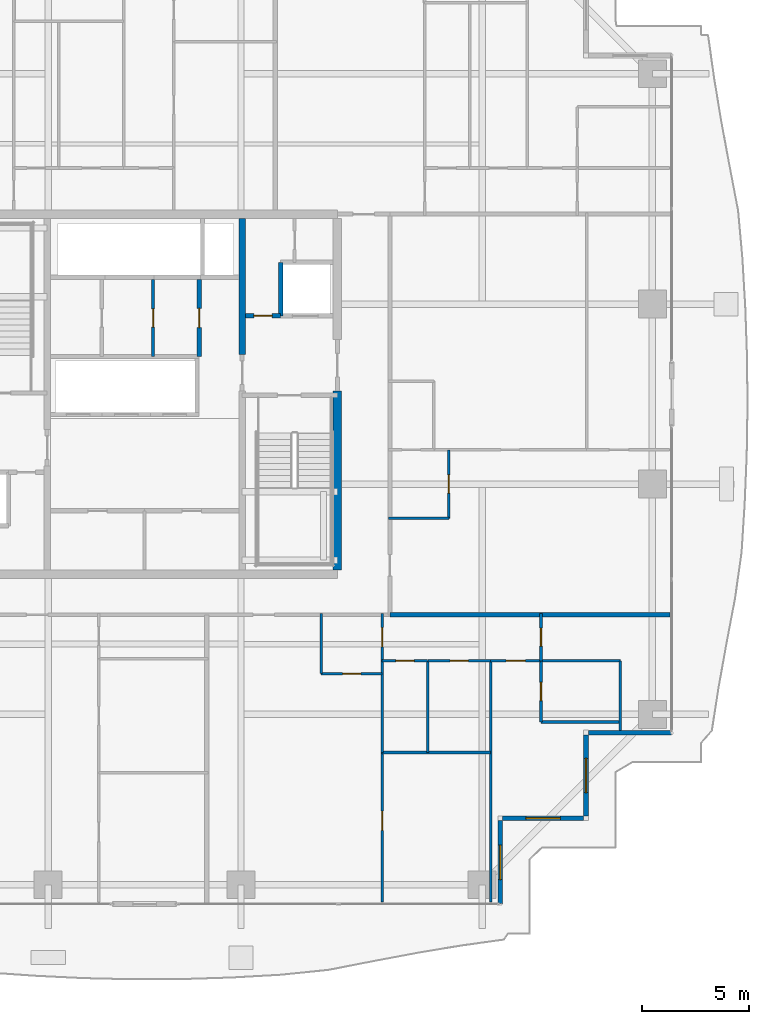
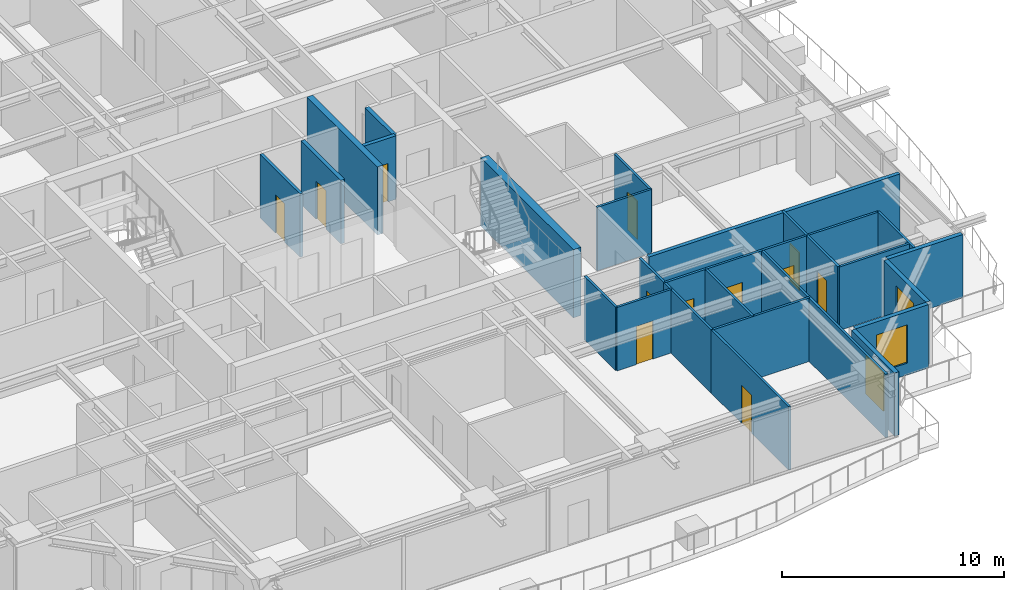
# One storey, part 29 of 38: 29 walls, 12 doors, 3 windows, 15 openings.
"""IFC4 building model written with IfcOpenShell, lengths in metres."""

from ifc_helpers import new_model, si_unit, direction, frame, frame_2d, origin, place, context, subcontext, project, spatial, rectangle, extrude, source, transform, mapped, material, layer, layer_set, type_object, element, fill, save


model = new_model("IFC4")

# Units and contexts
model_context = context("Model", 3, precision=1e-05, world=origin(), true_north=direction((0.0, 1.0)))
body_context = subcontext(model_context, "Body", "Model", "MODEL_VIEW")
ifc_project = project(units=[si_unit("LENGTHUNIT", "METRE"), si_unit("AREAUNIT", "SQUARE_METRE"), si_unit("VOLUMEUNIT", "CUBIC_METRE"), si_unit("PLANEANGLEUNIT", "RADIAN"), si_unit("MASSUNIT", "GRAM", prefix="KILO")], contexts=[model_context])

# Site, building, storey
site_placement = place(None, origin())
site = spatial("IfcSite", under=ifc_project, at=site_placement, CompositionType="ELEMENT")
building_placement = place(site_placement, origin())
building = spatial("IfcBuilding", under=site, at=building_placement, Name="Serunith Strait Residences", CompositionType="ELEMENT")
storey_placement = place(building_placement, frame((0.0, 0.0, 176.39990234375)))
storey = spatial("IfcBuildingStorey", under=building, at=storey_placement, Name="L44", CompositionType="ELEMENT", Elevation=176.39990234375)

# Wall, opening, window
ifc_material_1 = material(Name="Pale-Champagne Aluminium Insulated Panel", Category="aluminium")
ifc_layer_1 = layer(ifc_material_1, 0.219970703125, Name="Pale-Champagne Aluminium Insulated Panel")
ifc_layer_set_1 = layer_set([ifc_layer_1], Name="Pale-Champagne Aluminium Insulated Panel")
wall_type_1 = type_object("IfcWallType", Name="EW-ALUM-220", PredefinedType="ELEMENTEDWALL", material=ifc_layer_set_1)
wall_1_placement = place(storey_placement, frame((49.0, 1.39990234375, 0.0), z_axis=(0.0, 0.0, 1.0), x_axis=(0.0, 1.0, 0.0)))
wall_1 = element("IfcWall", 1, at=wall_1_placement, inside=storey, type_object=wall_type_1, Name="L44 Girih Serrated Corner Wall 02", PredefinedType="ELEMENTEDWALL", context=body_context, shape_type="SweptSolid", body=[
    extrude(rectangle(XDim=3.89013671875, YDim=0.219970703125, at=frame_2d((1.945068359375, 0.0))), origin(), (0.0, 0.0, 1.0), 3.47509765625),
])
opening_1_placement = place(wall_1_placement, frame((1.14501953125, 0.0, 0.64990234375)))
opening_1 = element("IfcOpeningElement", 2, at=opening_1_placement, cuts=wall_1, Name="Opening W-02", PredefinedType="OPENING", context=body_context, shape_type="SweptSolid", body=[
    extrude(rectangle(XDim=1.60009765625, YDim=2.10009765625, at=frame_2d((0.800048828125, 1.050048828125))), frame((0.0, 0.1201171875, 0.0), z_axis=(0.0, -1.0, 0.0), x_axis=(1.0, 0.0, 0.0)), (0.0, 0.0, 1.0), 0.239990234375),
])
ifc_material_2 = material(Name="Ceramic-Fritted Operable Aluminium Window Glass", Category="aluminium")
window_type = type_object("IfcWindowType", Name="WIN-C2", PartitioningType="DOUBLE_PANEL_VERTICAL", PredefinedType="WINDOW", material=ifc_material_2)
shared_shape_1 = source(origin(), body_context, "Body", "SweptSolid", [
    extrude(rectangle(XDim=1.60009765625, YDim=2.10009765625, at=frame_2d((0.800048828125, 1.050048828125))), frame((0.0, 0.030029296875, 0.0), z_axis=(0.0, -1.0, 0.0), x_axis=(1.0, 0.0, 0.0)), (0.0, 0.0, 1.0), 0.06005859375),
])
window_1_placement = place(opening_1_placement, origin())
window_1 = element("IfcWindow", 3, at=window_1_placement, inside=storey, type_object=window_type, Name="L44 Corner Operable Fritted Window 02", OverallHeight=2.10009765625, OverallWidth=1.60009765625, PartitioningType="SINGLE_PANEL", PredefinedType="WINDOW", context=body_context, shape_type="MappedRepresentation", body=[
    mapped(shared_shape_1, transform((0.0, 0.0, 0.0), scale=1.0)),
])
fill(opening_1, window_1)

wall_2_placement = place(storey_placement, frame((49.110107421875, 5.39990234375, 0.0), z_axis=(0.0, 0.0, 1.0), x_axis=(1.0, 0.0, 0.0)))
wall_2 = element("IfcWall", 4, at=wall_2_placement, inside=storey, type_object=wall_type_1, Name="L44 Girih Serrated Corner Wall 03", PredefinedType="ELEMENTEDWALL", context=body_context, shape_type="SweptSolid", body=[
    extrude(rectangle(XDim=3.77978515625, YDim=0.219970703125, at=frame_2d((1.889892578125, 0.0))), origin(), (0.0, 0.0, 1.0), 3.47509765625),
])
opening_2_placement = place(wall_2_placement, frame((1.090087890625, 0.0, 0.64990234375)))
opening_2 = element("IfcOpeningElement", 5, at=opening_2_placement, cuts=wall_2, Name="Opening W-02", PredefinedType="OPENING", context=body_context, shape_type="SweptSolid", body=[
    extrude(rectangle(XDim=1.60009765625, YDim=2.10009765625, at=frame_2d((0.800048828125, 1.050048828125))), frame((0.0, 0.1201171875, 0.0), z_axis=(0.0, -1.0, 0.0), x_axis=(1.0, 0.0, 0.0)), (0.0, 0.0, 1.0), 0.239990234375),
])
window_2_placement = place(opening_2_placement, origin())
window_2 = element("IfcWindow", 6, at=window_2_placement, inside=storey, type_object=window_type, Name="L44 Corner Operable Fritted Window 03", OverallHeight=2.10009765625, OverallWidth=1.60009765625, PartitioningType="SINGLE_PANEL", PredefinedType="WINDOW", context=body_context, shape_type="MappedRepresentation", body=[
    mapped(shared_shape_1, transform((0.0, 0.0, 0.0), scale=1.0)),
])
fill(opening_2, window_2)

wall_3_placement = place(storey_placement, frame((53.0, 5.510009765625, 0.0), z_axis=(0.0, 0.0, 1.0), x_axis=(0.0, 1.0, 0.0)))
wall_3 = element("IfcWall", 7, at=wall_3_placement, inside=storey, type_object=wall_type_1, Name="L44 Girih Serrated Corner Wall 04", PredefinedType="ELEMENTEDWALL", context=body_context, shape_type="SweptSolid", body=[
    extrude(rectangle(XDim=3.780029296875, YDim=0.219970703125, at=frame_2d((1.89013671875, 0.0))), origin(), (0.0, 0.0, 1.0), 3.47509765625),
])
opening_3_placement = place(wall_3_placement, frame((1.090087890625, 0.0, 0.64990234375)))
opening_3 = element("IfcOpeningElement", 8, at=opening_3_placement, cuts=wall_3, Name="Opening W-02", PredefinedType="OPENING", context=body_context, shape_type="SweptSolid", body=[
    extrude(rectangle(XDim=1.60009765625, YDim=2.10009765625, at=frame_2d((0.800048828125, 1.050048828125))), frame((0.0, 0.1201171875, 0.0), z_axis=(0.0, -1.0, 0.0), x_axis=(1.0, 0.0, 0.0)), (0.0, 0.0, 1.0), 0.239990234375),
])
window_3_placement = place(opening_3_placement, origin())
window_3 = element("IfcWindow", 9, at=window_3_placement, inside=storey, type_object=window_type, Name="L44 Corner Operable Fritted Window 04", OverallHeight=2.10009765625, OverallWidth=1.60009765625, PartitioningType="SINGLE_PANEL", PredefinedType="WINDOW", context=body_context, shape_type="MappedRepresentation", body=[
    mapped(shared_shape_1, transform((0.0, 0.0, 0.0), scale=1.0)),
])
fill(opening_3, window_3)

# Wall
wall_4_placement = place(storey_placement, frame((53.110107421875, 9.39990234375, 0.0), z_axis=(0.0, 0.0, 1.0), x_axis=(1.0, 0.0, 0.0)))
element("IfcWall", 10, at=wall_4_placement, inside=storey, type_object=wall_type_1, Name="L44 Girih Serrated Corner Wall 05", PredefinedType="ELEMENTEDWALL", context=body_context, shape_type="SweptSolid", body=[
    extrude(rectangle(XDim=3.889892578125, YDim=0.219970703125, at=frame_2d((1.94482421875, 0.0))), origin(), (0.0, 0.0, 1.0), 3.47509765625),
])

# Wall, opening, door
ifc_material_3 = material(Name="Fire-rated masonry service closet wall", Category="masonry")
ifc_layer_2 = layer(ifc_material_3, 0.14990234375, Name="Fire-rated masonry service closet wall")
ifc_layer_set_2 = layer_set([ifc_layer_2], Name="Fire-rated masonry service closet wall")
wall_type_2 = type_object("IfcWallType", Name="IW-BOH-150", PredefinedType="PARTITIONING", material=ifc_layer_set_2)
wall_5_placement = place(storey_placement, frame((32.800048828125, 26.949951171875, 0.0), z_axis=(0.0, 0.0, 1.0), x_axis=(0.0, 1.0, 0.0)))
wall_5 = element("IfcWall", 11, at=wall_5_placement, inside=storey, type_object=wall_type_2, Name="L44 Partition Wall 015", PredefinedType="PARTITIONING", context=body_context, shape_type="SweptSolid", body=[
    extrude(rectangle(XDim=3.60009765625, YDim=0.14990234375, at=frame_2d((1.800048828125, 0.0))), origin(), (0.0, 0.0, 1.0), 3.489990234375),
])
opening_4_placement = place(wall_5_placement, frame((1.375, 0.0, 0.0)))
opening_4 = element("IfcOpeningElement", 12, at=opening_4_placement, cuts=wall_5, Name="Opening FD-850", PredefinedType="OPENING", context=body_context, shape_type="SweptSolid", body=[
    extrude(rectangle(XDim=0.85009765625, YDim=2.10009765625, at=frame_2d((0.425048828125, 1.050048828125))), frame((0.0, 0.0849609375, 0.0), z_axis=(0.0, -1.0, 0.0), x_axis=(1.0, 0.0, 0.0)), (0.0, 0.0, 1.0), 0.169921875),
])
ifc_material_4 = material(Name="Powder-coated steel service closet door", Category="steel")
door_type_1 = type_object("IfcDoorType", Name="FD-BOH-850", OperationType="NOTDEFINED", PredefinedType="DOOR", material=ifc_material_4)
shared_shape_2 = source(origin(), body_context, "Body", "SweptSolid", [
    extrude(rectangle(XDim=0.85009765625, YDim=2.10009765625, at=frame_2d((0.425048828125, 1.050048828125))), frame((0.0, 0.02490234375, 0.0), z_axis=(0.0, -1.0, 0.0), x_axis=(1.0, 0.0, 0.0)), (0.0, 0.0, 1.0), 0.050048828125),
])
door_1_placement = place(opening_4_placement, origin())
door_1 = element("IfcDoor", 13, at=door_1_placement, inside=storey, type_object=door_type_1, Name="L44 Linen Store Door", OperationType="SINGLE_SWING_LEFT", OverallHeight=2.10009765625, OverallWidth=0.85009765625, PredefinedType="DOOR", context=body_context, shape_type="MappedRepresentation", body=[
    mapped(shared_shape_2, transform((0.0, 0.0, 0.0), scale=1.0)),
])
fill(opening_4, door_1)

ifc_material_5 = material(Name="Lightweight steel-stud gypsum partition", Category="steel")
ifc_layer_3 = layer(ifc_material_5, 0.1201171875, Name="Lightweight steel-stud gypsum partition")
ifc_layer_set_3 = layer_set([ifc_layer_3], Name="Lightweight steel-stud gypsum partition")
wall_type_3 = type_object("IfcWallType", Name="IW-PART-120", PredefinedType="PARTITIONING", material=ifc_layer_set_3)
wall_6_placement = place(storey_placement, frame((40.639892578125, 12.14990234375, 0.0), z_axis=(0.0, 0.0, 1.0), x_axis=(1.0, 0.0, 0.0)))
wall_6 = element("IfcWall", 14, at=wall_6_placement, inside=storey, type_object=wall_type_3, Name="L44 Partition Wall 053", PredefinedType="PARTITIONING", context=body_context, shape_type="SweptSolid", body=[
    extrude(rectangle(XDim=2.85009765625, YDim=0.1201171875, at=frame_2d((1.425048828125, 0.0))), origin(), (0.0, 0.0, 1.0), 3.489990234375),
])
opening_5_placement = place(wall_6_placement, frame((1.0, 0.0, 0.0)))
opening_5 = element("IfcOpeningElement", 15, at=opening_5_placement, cuts=wall_6, Name="Opening D-RM850", PredefinedType="OPENING", context=body_context, shape_type="SweptSolid", body=[
    extrude(rectangle(XDim=0.85009765625, YDim=2.10009765625, at=frame_2d((0.425048828125, 1.050048828125))), frame((0.0, 0.070068359375, 0.0), z_axis=(0.0, -1.0, 0.0), x_axis=(1.0, 0.0, 0.0)), (0.0, 0.0, 1.0), 0.14013671875),
])
ifc_material_6 = material(Name="Engineered timber flush study and kitchen door", Category="wood")
door_type_2 = type_object("IfcDoorType", Name="ID-ROOM-850", OperationType="NOTDEFINED", PredefinedType="DOOR", material=ifc_material_6)
door_2_placement = place(opening_5_placement, origin())
door_2 = element("IfcDoor", 16, at=door_2_placement, inside=storey, type_object=door_type_2, Name="L44 Kitchen 4402 Door", OperationType="SINGLE_SWING_LEFT", OverallHeight=2.10009765625, OverallWidth=0.85009765625, PredefinedType="DOOR", context=body_context, shape_type="MappedRepresentation", body=[
    mapped(shared_shape_2, transform((0.0, 0.0, 0.0), scale=1.0)),
])
fill(opening_5, door_2)

# Wall
wall_7_placement = place(storey_placement, frame((40.639892578125, 12.14990234375, 0.0), z_axis=(0.0, 0.0, 1.0), x_axis=(0.0, 1.0, 0.0)))
element("IfcWall", 17, at=wall_7_placement, inside=storey, type_object=wall_type_3, Name="L44 Partition Wall 054", PredefinedType="PARTITIONING", context=body_context, shape_type="SweptSolid", body=[
    extrude(rectangle(XDim=2.81005859375, YDim=0.1201171875, at=frame_2d((1.405029296875, 0.0))), origin(), (0.0, 0.0, 1.0), 3.489990234375),
])

# Wall, opening, door
wall_8_placement = place(storey_placement, frame((43.489990234375, 12.75, 0.0), z_axis=(0.0, 0.0, 1.0), x_axis=(0.0, 1.0, 0.0)))
wall_8 = element("IfcWall", 18, at=wall_8_placement, inside=storey, type_object=wall_type_3, Name="L44 Partition Wall 055", PredefinedType="PARTITIONING", context=body_context, shape_type="SweptSolid", body=[
    extrude(rectangle(XDim=2.2099609375, YDim=0.1201171875, at=frame_2d((1.10498046875, 0.0))), origin(), (0.0, 0.0, 1.0), 3.489990234375),
])
opening_6_placement = place(wall_8_placement, frame((0.655029296875, 0.0, 0.0)))
opening_6 = element("IfcOpeningElement", 19, at=opening_6_placement, cuts=wall_8, Name="Opening D-RM900", PredefinedType="OPENING", context=body_context, shape_type="SweptSolid", body=[
    extrude(rectangle(XDim=0.89990234375, YDim=2.10009765625, at=frame_2d((0.449951171875, 1.050048828125))), frame((0.0, 0.070068359375, 0.0), z_axis=(0.0, -1.0, 0.0), x_axis=(1.0, 0.0, 0.0)), (0.0, 0.0, 1.0), 0.14013671875),
])
ifc_material_7 = material(Name="Engineered timber flush bedroom door", Category="wood")
door_type_3 = type_object("IfcDoorType", Name="ID-ROOM-900", OperationType="NOTDEFINED", PredefinedType="DOOR", material=ifc_material_7)
shared_shape_3 = source(origin(), body_context, "Body", "SweptSolid", [
    extrude(rectangle(XDim=0.89990234375, YDim=2.10009765625, at=frame_2d((0.449951171875, 1.050048828125))), frame((0.0, 0.02490234375, 0.0), z_axis=(0.0, -1.0, 0.0), x_axis=(1.0, 0.0, 0.0)), (0.0, 0.0, 1.0), 0.050048828125),
])
door_3_placement = place(opening_6_placement, origin())
door_3 = element("IfcDoor", 20, at=door_3_placement, inside=storey, type_object=door_type_3, Name="L44 Hall E 4402 Door", OperationType="SINGLE_SWING_RIGHT", OverallHeight=2.10009765625, OverallWidth=0.89990234375, PredefinedType="DOOR", context=body_context, shape_type="MappedRepresentation", body=[
    mapped(shared_shape_3, transform((0.0, 0.0, 0.0), scale=1.0)),
])
fill(opening_6, door_3)

wall_9_placement = place(storey_placement, frame((43.489990234375, 1.4951171875, 0.0), z_axis=(0.0, 0.0, 1.0), x_axis=(0.0, 1.0, 0.0)))
wall_9 = element("IfcWall", 21, at=wall_9_placement, inside=storey, type_object=wall_type_3, Name="L44 Partition Wall 056", PredefinedType="PARTITIONING", context=body_context, shape_type="SweptSolid", body=[
    extrude(rectangle(XDim=6.975830078125, YDim=0.1201171875, at=frame_2d((3.48779296875, 0.0))), origin(), (0.0, 0.0, 1.0), 3.489990234375),
])
opening_7_placement = place(wall_9_placement, frame((3.342041015625, 0.0, 0.0)))
opening_7 = element("IfcOpeningElement", 22, at=opening_7_placement, cuts=wall_9, Name="Opening D-RM900", PredefinedType="OPENING", context=body_context, shape_type="SweptSolid", body=[
    extrude(rectangle(XDim=0.89990234375, YDim=2.10009765625, at=frame_2d((0.449951171875, 1.050048828125))), frame((0.0, 0.070068359375, 0.0), z_axis=(0.0, -1.0, 0.0), x_axis=(1.0, 0.0, 0.0)), (0.0, 0.0, 1.0), 0.14013671875),
])
door_4_placement = place(opening_7_placement, origin())
door_4 = element("IfcDoor", 23, at=door_4_placement, inside=storey, type_object=door_type_3, Name="L44 Formal Dining Room 1 4402 Door", OperationType="SINGLE_SWING_LEFT", OverallHeight=2.10009765625, OverallWidth=0.89990234375, PredefinedType="DOOR", context=body_context, shape_type="MappedRepresentation", body=[
    mapped(shared_shape_3, transform((0.0, 0.0, 0.0), scale=1.0)),
])
fill(opening_7, door_4)

# Walls
wall_10_placement = place(storey_placement, frame((43.489990234375, 8.472900390625, 0.0), z_axis=(0.0, 0.0, 1.0), x_axis=(0.0, 1.0, 0.0)))
element("IfcWall", 24, at=wall_10_placement, inside=storey, type_object=wall_type_3, Name="L44 Partition Wall 057", PredefinedType="PARTITIONING", context=body_context, shape_type="SweptSolid", body=[
    extrude(rectangle(XDim=4.275146484375, YDim=0.1201171875, at=frame_2d((2.1376953125, 0.0))), origin(), (0.0, 0.0, 1.0), 3.489990234375),
])
wall_11_placement = place(storey_placement, frame((43.489990234375, 8.470947265625, 0.0), z_axis=(0.0, 0.0, 1.0), x_axis=(1.0, 0.0, 0.0)))
element("IfcWall", 25, at=wall_11_placement, inside=storey, type_object=wall_type_3, Name="L44 Partition Wall 058", PredefinedType="PARTITIONING", context=body_context, shape_type="SweptSolid", body=[
    extrude(rectangle(XDim=5.06005859375, YDim=0.1201171875, at=frame_2d((2.530029296875, 0.0))), origin(), (0.0, 0.0, 1.0), 3.489990234375),
])
wall_12_placement = place(storey_placement, frame((48.550048828125, 1.4951171875, 0.0), z_axis=(0.0, 0.0, 1.0), x_axis=(0.0, 1.0, 0.0)))
element("IfcWall", 26, at=wall_12_placement, inside=storey, type_object=wall_type_3, Name="L44 Partition Wall 059", PredefinedType="PARTITIONING", context=body_context, shape_type="SweptSolid", body=[
    extrude(rectangle(XDim=11.2548828125, YDim=0.1201171875, at=frame_2d((5.62744140625, 0.0))), origin(), (0.0, 0.0, 1.0), 3.489990234375),
])
wall_13_placement = place(storey_placement, frame((45.614990234375, 8.470947265625, 0.0), z_axis=(0.0, 0.0, 1.0), x_axis=(0.0, 1.0, 0.0)))
element("IfcWall", 27, at=wall_13_placement, inside=storey, type_object=wall_type_3, Name="L44 Partition Wall 060", PredefinedType="PARTITIONING", context=body_context, shape_type="SweptSolid", body=[
    extrude(rectangle(XDim=4.279052734375, YDim=0.1201171875, at=frame_2d((2.1396484375, 0.0))), origin(), (0.0, 0.0, 1.0), 3.489990234375),
])

# Wall, opening, door
wall_14_placement = place(storey_placement, frame((43.489990234375, 12.75, 0.0), z_axis=(0.0, 0.0, 1.0), x_axis=(1.0, 0.0, 0.0)))
wall_14 = element("IfcWall", 28, at=wall_14_placement, inside=storey, type_object=wall_type_3, Name="L44 Partition Wall 061", PredefinedType="PARTITIONING", context=body_context, shape_type="SweptSolid", body=[
    extrude(rectangle(XDim=2.125, YDim=0.1201171875, at=frame_2d((1.0625, 0.0))), origin(), (0.0, 0.0, 1.0), 3.489990234375),
])
opening_8_placement = place(wall_14_placement, frame((0.636962890625, 0.0, 0.0)))
opening_8 = element("IfcOpeningElement", 29, at=opening_8_placement, cuts=wall_14, Name="Opening D-BTH850", PredefinedType="OPENING", context=body_context, shape_type="SweptSolid", body=[
    extrude(rectangle(XDim=0.85009765625, YDim=2.10009765625, at=frame_2d((0.425048828125, 1.050048828125))), frame((0.0, 0.070068359375, 0.0), z_axis=(0.0, -1.0, 0.0), x_axis=(1.0, 0.0, 0.0)), (0.0, 0.0, 1.0), 0.14013671875),
])
ifc_material_8 = material(Name="Moisture-resistant timber bathroom door", Category="wood")
door_type_4 = type_object("IfcDoorType", Name="ID-BATH-850", OperationType="NOTDEFINED", PredefinedType="DOOR", material=ifc_material_8)
door_5_placement = place(opening_8_placement, origin())
door_5 = element("IfcDoor", 30, at=door_5_placement, inside=storey, type_object=door_type_4, Name="L44 Bathroom 4402 Door", OperationType="SINGLE_SWING_RIGHT", OverallHeight=2.10009765625, OverallWidth=0.85009765625, PredefinedType="DOOR", context=body_context, shape_type="MappedRepresentation", body=[
    mapped(shared_shape_2, transform((0.0, 0.0, 0.0), scale=1.0)),
])
fill(opening_8, door_5)

wall_15_placement = place(storey_placement, frame((45.616943359375, 12.75, 0.0), z_axis=(0.0, 0.0, 1.0), x_axis=(1.0, 0.0, 0.0)))
wall_15 = element("IfcWall", 31, at=wall_15_placement, inside=storey, type_object=wall_type_3, Name="L44 Partition Wall 062", PredefinedType="PARTITIONING", context=body_context, shape_type="SweptSolid", body=[
    extrude(rectangle(XDim=2.93310546875, YDim=0.1201171875, at=frame_2d((1.466552734375, 0.0))), origin(), (0.0, 0.0, 1.0), 3.489990234375),
])
opening_9_placement = place(wall_15_placement, frame((1.041015625, 0.0, 0.0)))
opening_9 = element("IfcOpeningElement", 32, at=opening_9_placement, cuts=wall_15, Name="Opening D-RM850", PredefinedType="OPENING", context=body_context, shape_type="SweptSolid", body=[
    extrude(rectangle(XDim=0.85009765625, YDim=2.10009765625, at=frame_2d((0.425048828125, 1.050048828125))), frame((0.0, 0.070068359375, 0.0), z_axis=(0.0, -1.0, 0.0), x_axis=(1.0, 0.0, 0.0)), (0.0, 0.0, 1.0), 0.14013671875),
])
door_6_placement = place(opening_9_placement, origin())
door_6 = element("IfcDoor", 33, at=door_6_placement, inside=storey, type_object=door_type_2, Name="L44 Formal Dining Room 4402 Door", OperationType="SINGLE_SWING_LEFT", OverallHeight=2.10009765625, OverallWidth=0.85009765625, PredefinedType="DOOR", context=body_context, shape_type="MappedRepresentation", body=[
    mapped(shared_shape_2, transform((0.0, 0.0, 0.0), scale=1.0)),
])
fill(opening_9, door_6)

wall_16_placement = place(storey_placement, frame((48.552001953125, 12.75, 0.0), z_axis=(0.0, 0.0, 1.0), x_axis=(1.0, 0.0, 0.0)))
wall_16 = element("IfcWall", 34, at=wall_16_placement, inside=storey, type_object=wall_type_3, Name="L44 Partition Wall 063", PredefinedType="PARTITIONING", context=body_context, shape_type="SweptSolid", body=[
    extrude(rectangle(XDim=2.347900390625, YDim=0.1201171875, at=frame_2d((1.173828125, 0.0))), origin(), (0.0, 0.0, 1.0), 3.489990234375),
])
opening_10_placement = place(wall_16_placement, frame((0.72412109375, 0.0, 0.0)))
opening_10 = element("IfcOpeningElement", 35, at=opening_10_placement, cuts=wall_16, Name="Opening D-RM900", PredefinedType="OPENING", context=body_context, shape_type="SweptSolid", body=[
    extrude(rectangle(XDim=0.89990234375, YDim=2.10009765625, at=frame_2d((0.449951171875, 1.050048828125))), frame((0.0, 0.070068359375, 0.0), z_axis=(0.0, -1.0, 0.0), x_axis=(1.0, 0.0, 0.0)), (0.0, 0.0, 1.0), 0.14013671875),
])
door_7_placement = place(opening_10_placement, origin())
door_7 = element("IfcDoor", 36, at=door_7_placement, inside=storey, type_object=door_type_3, Name="L44 Master Bedroom E 4402 Door", OperationType="SINGLE_SWING_RIGHT", OverallHeight=2.10009765625, OverallWidth=0.89990234375, PredefinedType="DOOR", context=body_context, shape_type="MappedRepresentation", body=[
    mapped(shared_shape_3, transform((0.0, 0.0, 0.0), scale=1.0)),
])
fill(opening_10, door_7)

# Walls
wall_17_placement = place(storey_placement, frame((50.89990234375, 9.89501953125, 0.0), z_axis=(0.0, 0.0, 1.0), x_axis=(1.0, 0.0, 0.0)))
element("IfcWall", 37, at=wall_17_placement, inside=storey, type_object=wall_type_3, Name="L44 Partition Wall 064", PredefinedType="PARTITIONING", context=body_context, shape_type="SweptSolid", body=[
    extrude(rectangle(XDim=3.7001953125, YDim=0.1201171875, at=frame_2d((1.85009765625, 0.0))), origin(), (0.0, 0.0, 1.0), 3.489990234375),
])
wall_18_placement = place(storey_placement, frame((54.60009765625, 9.4951171875, 0.0), z_axis=(0.0, 0.0, 1.0), x_axis=(0.0, 1.0, 0.0)))
element("IfcWall", 38, at=wall_18_placement, inside=storey, type_object=wall_type_3, Name="L44 Partition Wall 065", PredefinedType="PARTITIONING", context=body_context, shape_type="SweptSolid", body=[
    extrude(rectangle(XDim=3.2548828125, YDim=0.1201171875, at=frame_2d((1.62744140625, 0.0))), origin(), (0.0, 0.0, 1.0), 3.489990234375),
])
wall_19_placement = place(storey_placement, frame((50.902099609375, 12.75, 0.0), z_axis=(0.0, 0.0, 1.0), x_axis=(1.0, 0.0, 0.0)))
element("IfcWall", 39, at=wall_19_placement, inside=storey, type_object=wall_type_3, Name="L44 Partition Wall 066", PredefinedType="PARTITIONING", context=body_context, shape_type="SweptSolid", body=[
    extrude(rectangle(XDim=3.697998046875, YDim=0.1201171875, at=frame_2d((1.84912109375, 0.0))), origin(), (0.0, 0.0, 1.0), 3.489990234375),
])

# Wall, opening, door
wall_20_placement = place(storey_placement, frame((50.89990234375, 9.89501953125, 0.0), z_axis=(0.0, 0.0, 1.0), x_axis=(0.0, 1.0, 0.0)))
wall_20 = element("IfcWall", 40, at=wall_20_placement, inside=storey, type_object=wall_type_3, Name="L44 Partition Wall 067", PredefinedType="PARTITIONING", context=body_context, shape_type="SweptSolid", body=[
    extrude(rectangle(XDim=2.85498046875, YDim=0.1201171875, at=frame_2d((1.427490234375, 0.0))), origin(), (0.0, 0.0, 1.0), 3.489990234375),
])
opening_11_placement = place(wall_20_placement, frame((1.0029296875, 0.0, 0.0)))
opening_11 = element("IfcOpeningElement", 41, at=opening_11_placement, cuts=wall_20, Name="Opening D-BTH850", PredefinedType="OPENING", context=body_context, shape_type="SweptSolid", body=[
    extrude(rectangle(XDim=0.85009765625, YDim=2.10009765625, at=frame_2d((0.425048828125, 1.050048828125))), frame((0.0, 0.070068359375, 0.0), z_axis=(0.0, -1.0, 0.0), x_axis=(1.0, 0.0, 0.0)), (0.0, 0.0, 1.0), 0.14013671875),
])
door_8_placement = place(opening_11_placement, origin())
door_8 = element("IfcDoor", 42, at=door_8_placement, inside=storey, type_object=door_type_4, Name="L44 En-suite Bathroom E 4402 Door", OperationType="SINGLE_SWING_LEFT", OverallHeight=2.10009765625, OverallWidth=0.85009765625, PredefinedType="DOOR", context=body_context, shape_type="MappedRepresentation", body=[
    mapped(shared_shape_2, transform((0.0, 0.0, 0.0), scale=1.0)),
])
fill(opening_11, door_8)

wall_21_placement = place(storey_placement, frame((50.89990234375, 12.751953125, 0.0), z_axis=(0.0, 0.0, 1.0), x_axis=(0.0, 1.0, 0.0)))
wall_21 = element("IfcWall", 43, at=wall_21_placement, inside=storey, type_object=wall_type_3, Name="L44 Partition Wall 068", PredefinedType="PARTITIONING", context=body_context, shape_type="SweptSolid", body=[
    extrude(rectangle(XDim=2.2080078125, YDim=0.1201171875, at=frame_2d((1.10400390625, 0.0))), origin(), (0.0, 0.0, 1.0), 3.489990234375),
])
opening_12_placement = place(wall_21_placement, frame((0.678955078125, 0.0, 0.0)))
opening_12 = element("IfcOpeningElement", 44, at=opening_12_placement, cuts=wall_21, Name="Opening D-RM850", PredefinedType="OPENING", context=body_context, shape_type="SweptSolid", body=[
    extrude(rectangle(XDim=0.85009765625, YDim=2.10009765625, at=frame_2d((0.425048828125, 1.050048828125))), frame((0.0, 0.070068359375, 0.0), z_axis=(0.0, -1.0, 0.0), x_axis=(1.0, 0.0, 0.0)), (0.0, 0.0, 1.0), 0.14013671875),
])
door_9_placement = place(opening_12_placement, origin())
door_9 = element("IfcDoor", 45, at=door_9_placement, inside=storey, type_object=door_type_2, Name="L44 Wardrobe E 4402 Door", OperationType="SINGLE_SWING_RIGHT", OverallHeight=2.10009765625, OverallWidth=0.85009765625, PredefinedType="DOOR", context=body_context, shape_type="MappedRepresentation", body=[
    mapped(shared_shape_2, transform((0.0, 0.0, 0.0), scale=1.0)),
])
fill(opening_12, door_9)

wall_22_placement = place(storey_placement, frame((46.60009765625, 19.39990234375, 0.0), z_axis=(0.0, 0.0, 1.0), x_axis=(0.0, 1.0, 0.0)))
wall_22 = element("IfcWall", 46, at=wall_22_placement, inside=storey, type_object=wall_type_3, Name="L44 Partition Wall 113", PredefinedType="PARTITIONING", context=body_context, shape_type="SweptSolid", body=[
    extrude(rectangle(XDim=3.2001953125, YDim=0.1201171875, at=frame_2d((1.60009765625, 0.0))), origin(), (0.0, 0.0, 1.0), 3.489990234375),
])
opening_13_placement = place(wall_22_placement, frame((1.175048828125, 0.0, 0.0)))
opening_13 = element("IfcOpeningElement", 47, at=opening_13_placement, cuts=wall_22, Name="Opening D-RM850", PredefinedType="OPENING", context=body_context, shape_type="SweptSolid", body=[
    extrude(rectangle(XDim=0.85009765625, YDim=2.10009765625, at=frame_2d((0.425048828125, 1.050048828125))), frame((0.0, 0.070068359375, 0.0), z_axis=(0.0, -1.0, 0.0), x_axis=(1.0, 0.0, 0.0)), (0.0, 0.0, 1.0), 0.14013671875),
])
door_10_placement = place(opening_13_placement, origin())
door_10 = element("IfcDoor", 48, at=door_10_placement, inside=storey, type_object=door_type_2, Name="L44 Kitchen 4407 Door", OperationType="SINGLE_SWING_RIGHT", OverallHeight=2.10009765625, OverallWidth=0.85009765625, PredefinedType="DOOR", context=body_context, shape_type="MappedRepresentation", body=[
    mapped(shared_shape_2, transform((0.0, 0.0, 0.0), scale=1.0)),
])
fill(opening_13, door_10)

# Walls
wall_23_placement = place(storey_placement, frame((46.60009765625, 19.39990234375, 0.0), z_axis=(0.0, 0.0, 1.0), x_axis=(-1.0, 0.0, 0.0)))
element("IfcWall", 49, at=wall_23_placement, inside=storey, type_object=wall_type_3, Name="L44 Partition Wall 114", PredefinedType="PARTITIONING", context=body_context, shape_type="SweptSolid", body=[
    extrude(rectangle(XDim=2.81005859375, YDim=0.1201171875, at=frame_2d((1.405029296875, 0.0))), origin(), (0.0, 0.0, 1.0), 3.489990234375),
])
ifc_material_9 = material(Name="Twin-stud acoustic gypsum board partition")
ifc_layer_4 = layer(ifc_material_9, 0.199951171875, Name="Twin-stud acoustic gypsum board partition")
ifc_layer_set_4 = layer_set([ifc_layer_4], Name="Twin-stud acoustic gypsum board partition")
wall_type_4 = type_object("IfcWallType", Name="IW-PARTY-200", PredefinedType="PARTITIONING", material=ifc_layer_set_4)
wall_24_placement = place(storey_placement, frame((43.85009765625, 14.89990234375, 0.0), z_axis=(0.0, 0.0, 1.0), x_axis=(1.0, 0.0, 0.0)))
element("IfcWall", 50, at=wall_24_placement, inside=storey, type_object=wall_type_4, Name="L44 Partition Wall 024", PredefinedType="PARTITIONING", context=body_context, shape_type="SweptSolid", body=[
    extrude(rectangle(XDim=13.06787109375, YDim=0.199951171875, at=frame_2d((6.533935546875, 0.0))), origin(), (0.0, 0.0, 1.0), 3.489990234375),
])
ifc_material_10 = material(Name="Autoclaved aerated concrete blockwork", Category="masonry")
ifc_layer_5 = layer(ifc_material_10, 0.199951171875, Name="Autoclaved aerated concrete blockwork")
ifc_layer_set_5 = layer_set([ifc_layer_5], Name="Autoclaved aerated concrete blockwork")
wall_type_5 = type_object("IfcWallType", Name="IW-SHAFT-200", PredefinedType="STANDARD", material=ifc_layer_set_5)
wall_25_placement = place(storey_placement, frame((38.75, 28.85009765625, 0.0), z_axis=(0.0, 0.0, 1.0), x_axis=(0.0, 1.0, 0.0)))
element("IfcWall", 51, at=wall_25_placement, inside=storey, type_object=wall_type_5, Name="L44 Partition Wall 004", PredefinedType="STANDARD", context=body_context, shape_type="SweptSolid", body=[
    extrude(rectangle(XDim=2.5, YDim=0.199951171875, at=frame_2d((1.25, 0.0))), origin(), (0.0, 0.0, 1.0), 3.489990234375),
])

# Wall, opening, door
wall_26_placement = place(storey_placement, frame((37.10009765625, 28.85009765625, 0.0), z_axis=(0.0, 0.0, 1.0), x_axis=(1.0, 0.0, 0.0)))
wall_26 = element("IfcWall", 52, at=wall_26_placement, inside=storey, type_object=wall_type_5, Name="L44 Partition Wall 006", PredefinedType="STANDARD", context=body_context, shape_type="SweptSolid", body=[
    extrude(rectangle(XDim=1.64794921875, YDim=0.199951171875, at=frame_2d((0.823974609375, 0.0))), origin(), (0.0, 0.0, 1.0), 3.489990234375),
])
opening_14_placement = place(wall_26_placement, frame((0.39892578125, 0.0, 0.0)))
opening_14 = element("IfcOpeningElement", 53, at=opening_14_placement, cuts=wall_26, Name="Opening FD-850", PredefinedType="OPENING", context=body_context, shape_type="SweptSolid", body=[
    extrude(rectangle(XDim=0.85009765625, YDim=2.10009765625, at=frame_2d((0.425048828125, 1.050048828125))), frame((0.0, 0.10986328125, 0.0), z_axis=(0.0, -1.0, 0.0), x_axis=(1.0, 0.0, 0.0)), (0.0, 0.0, 1.0), 0.219970703125),
])
door_11_placement = place(opening_14_placement, origin())
door_11 = element("IfcDoor", 54, at=door_11_placement, inside=storey, type_object=door_type_1, Name="L44 North-East Core Service Door", OperationType="SINGLE_SWING_LEFT", OverallHeight=2.10009765625, OverallWidth=0.85009765625, PredefinedType="DOOR", context=body_context, shape_type="MappedRepresentation", body=[
    mapped(shared_shape_2, transform((0.0, 0.0, 0.0), scale=1.0)),
])
fill(opening_14, door_11)

wall_27_placement = place(storey_placement, frame((34.949951171875, 26.949951171875, 0.0), z_axis=(0.0, 0.0, 1.0), x_axis=(0.0, 1.0, 0.0)))
wall_27 = element("IfcWall", 55, at=wall_27_placement, inside=storey, type_object=wall_type_5, Name="L44 Partition Wall 014", PredefinedType="STANDARD", context=body_context, shape_type="SweptSolid", body=[
    extrude(rectangle(XDim=3.60009765625, YDim=0.199951171875, at=frame_2d((1.800048828125, 0.0))), origin(), (0.0, 0.0, 1.0), 3.489990234375),
])
opening_15_placement = place(wall_27_placement, frame((1.35009765625, 0.0, 0.0)))
opening_15 = element("IfcOpeningElement", 56, at=opening_15_placement, cuts=wall_27, Name="Opening FD-900", PredefinedType="OPENING", context=body_context, shape_type="SweptSolid", body=[
    extrude(rectangle(XDim=0.89990234375, YDim=2.10009765625, at=frame_2d((0.449951171875, 1.050048828125))), frame((0.0, 0.10986328125, 0.0), z_axis=(0.0, -1.0, 0.0), x_axis=(1.0, 0.0, 0.0)), (0.0, 0.0, 1.0), 0.219970703125),
])
ifc_material_11 = material(Name="Powder-coated steel riser door", Category="steel")
door_type_5 = type_object("IfcDoorType", Name="FD-BOH-900", OperationType="NOTDEFINED", PredefinedType="DOOR", material=ifc_material_11)
door_12_placement = place(opening_15_placement, origin())
door_12 = element("IfcDoor", 57, at=door_12_placement, inside=storey, type_object=door_type_5, Name="L44 Janitorial Store Door", OperationType="SINGLE_SWING_RIGHT", OverallHeight=2.10009765625, OverallWidth=0.89990234375, PredefinedType="DOOR", context=body_context, shape_type="MappedRepresentation", body=[
    mapped(shared_shape_3, transform((0.0, 0.0, 0.0), scale=1.0)),
])
fill(opening_15, door_12)

# Walls
ifc_material_12 = material(Name="Concrete C70/85", Category="concrete")
ifc_layer_6 = layer(ifc_material_12, 0.300048828125, Name="Concrete C70/85")
ifc_layer_set_6 = layer_set([ifc_layer_6], Name="Concrete C70/85")
wall_type_6 = type_object("IfcWallType", Name="SW-300-C70", PredefinedType="SHEAR", material=ifc_layer_set_6)
wall_28_placement = place(storey_placement, frame((36.949951171875, 27.050048828125, -0.260009765625), z_axis=(0.0, 0.0, 1.0), x_axis=(0.0, 1.0, 0.0)))
element("IfcWall", 58, at=wall_28_placement, inside=storey, type_object=wall_type_6, Name="L44 Core Internal East Web North Pier", PredefinedType="SHEAR", context=body_context, shape_type="SweptSolid", body=[
    extrude(rectangle(XDim=6.349853515625, YDim=0.300048828125, at=frame_2d((3.1748046875, 0.0))), origin(), (0.0, 0.0, 1.0), 3.748046875),
])
ifc_layer_7 = layer(ifc_material_12, 0.39990234375, Name="Concrete C70/85")
ifc_layer_set_7 = layer_set([ifc_layer_7], Name="Concrete C70/85")
wall_type_7 = type_object("IfcWallType", Name="SW-400-C70", PredefinedType="SHEAR", material=ifc_layer_set_7)
wall_29_placement = place(storey_placement, frame((41.39990234375, 17.0, -0.260009765625), z_axis=(0.0, 0.0, 1.0), x_axis=(0.0, 1.0, 0.0)))
element("IfcWall", 59, at=wall_29_placement, inside=storey, type_object=wall_type_7, Name="L44 Core East Shear Wall South Pier", PredefinedType="SHEAR", context=body_context, shape_type="SweptSolid", body=[
    extrude(rectangle(XDim=8.35009765625, YDim=0.39990234375, at=frame_2d((4.175048828125, 0.0))), origin(), (0.0, 0.0, 1.0), 3.748046875),
])

save(model, "model.ifc")
